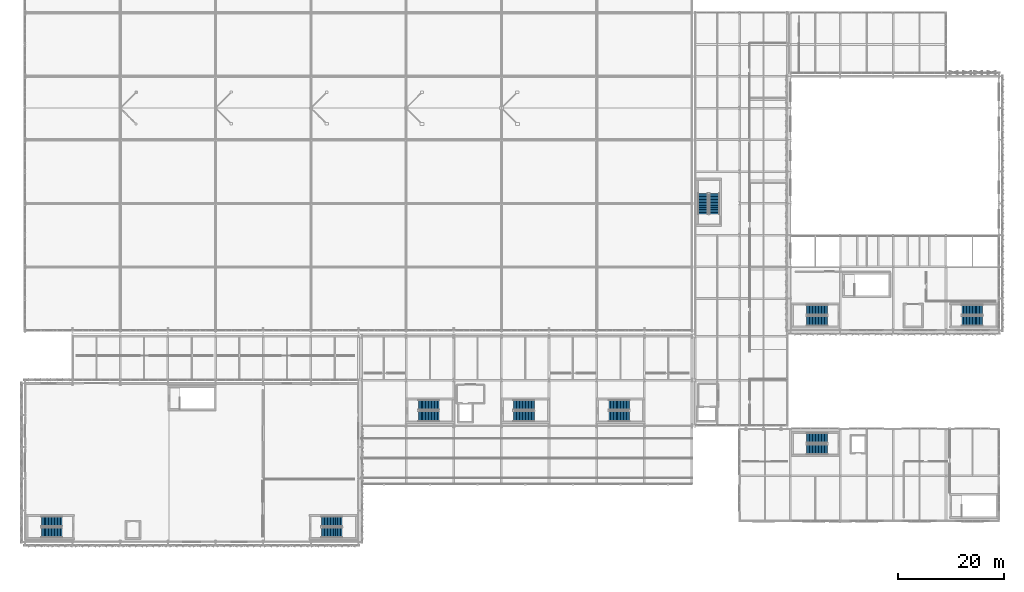
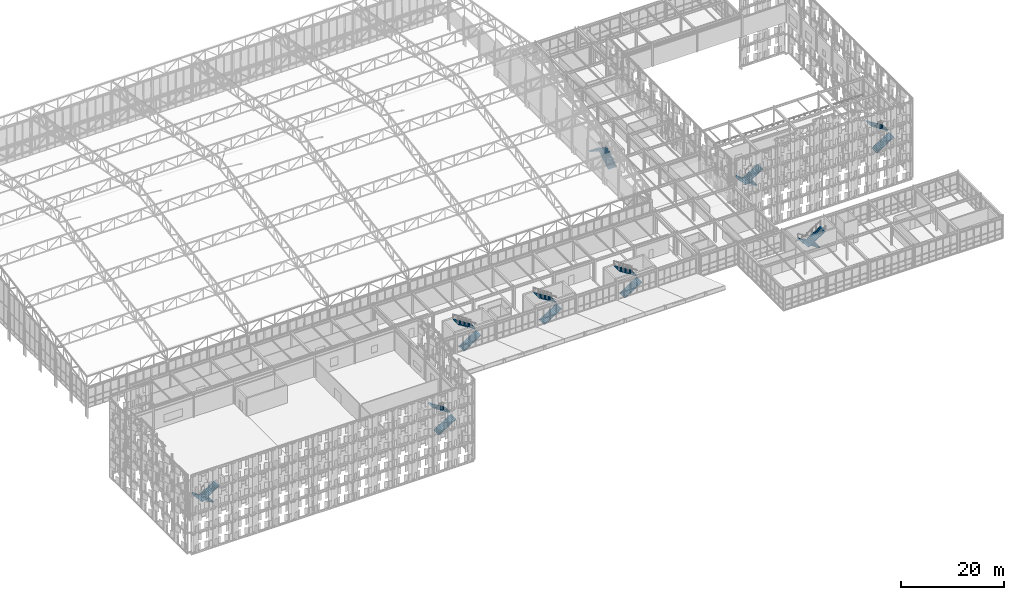
# One storey, part 207 of 239: 18 stair flights, 9 elements without a shape of their own.
"""IFC4 building model written with IfcOpenShell, lengths in metres."""

from ifc_helpers import new_model, si_unit, direction, frame, origin, place, context, subcontext, project, spatial, polyline, outline, extrude, material, type_object, element, aggregate, save


model = new_model("IFC4")

# Units and contexts
model_context = context("Model", 3, precision=1e-05, world=origin(), true_north=direction((0.0, 1.0)))
body_context = subcontext(model_context, "Body", "Model", "MODEL_VIEW")
ifc_project = project(units=[si_unit("LENGTHUNIT", "METRE"), si_unit("AREAUNIT", "SQUARE_METRE"), si_unit("VOLUMEUNIT", "CUBIC_METRE"), si_unit("PLANEANGLEUNIT", "RADIAN"), si_unit("MASSUNIT", "GRAM", prefix="KILO")], contexts=[model_context])

# Site, building, storey
site_placement = place(None, origin())
site = spatial("IfcSite", under=ifc_project, at=site_placement, CompositionType="ELEMENT")
building_placement = place(site_placement, origin())
building = spatial("IfcBuilding", under=site, at=building_placement, Name="Kaldris Quays Convention Centre", CompositionType="ELEMENT")
storey_placement = place(building_placement, frame((0.0, 0.0, 11.39990234375)))
storey = spatial("IfcBuildingStorey", under=building, at=storey_placement, Name="L02", CompositionType="ELEMENT", Elevation=11.39990234375)

# Stair, stair flights
ifc_material = material(Name="Concrete C35/45", Category="concrete")
stair_type = type_object("IfcStairType", Name="DOGLEG ESCAPE STAIR STF1", PredefinedType="TWO_STRAIGHT_RUN_STAIR", material=ifc_material)
stair_1_placement = place(storey_placement, origin())
stair_1 = element("IfcStair", 1, at=stair_1_placement, inside=storey, type_object=stair_type, Name="L02 Escape Stair ST05", PredefinedType="TWO_STRAIGHT_RUN_STAIR")
stair_flight_type = type_object("IfcStairFlightType", Name="STAIR FLIGHT SF01", PredefinedType="STRAIGHT", material=ifc_material)
stair_flight_1_placement = place(storey_placement, frame((27.0, 19.875, 0.0), z_axis=(0.0, 0.0, 1.0), x_axis=(-1.0, 0.0, 0.0)))
stair_flight_1 = element("IfcStairFlight", 2, at=stair_flight_1_placement, type_object=stair_flight_type, Name="STF1 flight 1", NumberOfRisers=15, NumberOfTreads=14, PredefinedType="STRAIGHT", RiserHeight=0.18, TreadLength=0.28, context=body_context, shape_type="SweptSolid", body=[
    extrude(outline(polyline([(0.0, 0.0), (0.0, 0.179931640625), (0.280029296875, 0.179931640625), (0.280029296875, 0.360107421875), (0.56005859375, 0.360107421875), (0.56005859375, 0.5400390625), (0.840087890625, 0.5400390625), (0.840087890625, 0.719970703125), (1.1201171875, 0.719970703125), (1.1201171875, 0.89990234375), (1.39990234375, 0.89990234375), (1.39990234375, 1.080078125), (1.679931640625, 1.080078125), (1.679931640625, 1.260009765625), (1.9599609375, 1.260009765625), (1.9599609375, 1.43994140625), (2.239990234375, 1.43994140625), (2.239990234375, 1.6201171875), (2.52001953125, 1.6201171875), (2.52001953125, 1.800048828125), (2.800048828125, 1.800048828125), (2.800048828125, 1.97998046875), (3.080078125, 1.97998046875), (3.080078125, 2.159912109375), (3.360107421875, 2.159912109375), (3.360107421875, 2.340087890625), (3.639892578125, 2.340087890625), (3.639892578125, 2.52001953125), (3.919921875, 2.52001953125), (3.919921875, 2.699951171875), (3.919921875, 2.341796875), (0.277099609375, 0.0), (0.0, 0.0)])), frame((0.0, 0.97509765625, 0.0), z_axis=(0.0, -1.0, 0.0), x_axis=(1.0, 0.0, 0.0)), (0.0, 0.0, 1.0), 1.949951171875),
])
stair_flight_2_placement = place(storey_placement, frame((23.080078125, 17.77490234375, 2.7001953125), z_axis=(0.0, 0.0, 1.0), x_axis=(1.0, 0.0, 0.0)))
stair_flight_2 = element("IfcStairFlight", 3, at=stair_flight_2_placement, type_object=stair_flight_type, Name="STF1 flight 2", NumberOfRisers=15, NumberOfTreads=14, PredefinedType="STRAIGHT", RiserHeight=0.18, TreadLength=0.28, context=body_context, shape_type="SweptSolid", body=[
    extrude(outline(polyline([(0.0, 0.0), (0.0, 0.179931640625), (0.280029296875, 0.179931640625), (0.280029296875, 0.360107421875), (0.56005859375, 0.360107421875), (0.56005859375, 0.5400390625), (0.840087890625, 0.5400390625), (0.840087890625, 0.719970703125), (1.1201171875, 0.719970703125), (1.1201171875, 0.89990234375), (1.39990234375, 0.89990234375), (1.39990234375, 1.080078125), (1.679931640625, 1.080078125), (1.679931640625, 1.260009765625), (1.9599609375, 1.260009765625), (1.9599609375, 1.43994140625), (2.239990234375, 1.43994140625), (2.239990234375, 1.6201171875), (2.52001953125, 1.6201171875), (2.52001953125, 1.800048828125), (2.800048828125, 1.800048828125), (2.800048828125, 1.97998046875), (3.080078125, 1.97998046875), (3.080078125, 2.159912109375), (3.360107421875, 2.159912109375), (3.360107421875, 2.340087890625), (3.639892578125, 2.340087890625), (3.639892578125, 2.52001953125), (3.919921875, 2.52001953125), (3.919921875, 2.699951171875), (3.919921875, 2.341796875), (0.277099609375, 0.0), (0.0, 0.0)])), frame((0.0, 0.97509765625, 0.0), z_axis=(0.0, -1.0, 0.0), x_axis=(1.0, 0.0, 0.0)), (0.0, 0.0, 1.0), 1.949951171875),
])
aggregate(stair_1, [stair_flight_1, stair_flight_2])

stair_2_placement = place(storey_placement, origin())
stair_2 = element("IfcStair", 4, at=stair_2_placement, inside=storey, type_object=stair_type, Name="L02 Escape Stair ST06", PredefinedType="TWO_STRAIGHT_RUN_STAIR")
stair_flight_3_placement = place(storey_placement, frame((76.0, 17.77490234375, 0.0), z_axis=(0.0, 0.0, 1.0), x_axis=(1.0, 0.0, 0.0)))
stair_flight_3 = element("IfcStairFlight", 5, at=stair_flight_3_placement, type_object=stair_flight_type, Name="STF1 flight 1", NumberOfRisers=15, NumberOfTreads=14, PredefinedType="STRAIGHT", RiserHeight=0.18, TreadLength=0.28, context=body_context, shape_type="SweptSolid", body=[
    extrude(outline(polyline([(0.0, 0.0), (0.0, 0.179931640625), (0.280029296875, 0.179931640625), (0.280029296875, 0.360107421875), (0.56005859375, 0.360107421875), (0.56005859375, 0.5400390625), (0.840087890625, 0.5400390625), (0.840087890625, 0.719970703125), (1.1201171875, 0.719970703125), (1.1201171875, 0.89990234375), (1.39990234375, 0.89990234375), (1.39990234375, 1.080078125), (1.679931640625, 1.080078125), (1.679931640625, 1.260009765625), (1.9599609375, 1.260009765625), (1.9599609375, 1.43994140625), (2.239990234375, 1.43994140625), (2.239990234375, 1.6201171875), (2.52001953125, 1.6201171875), (2.52001953125, 1.800048828125), (2.800048828125, 1.800048828125), (2.800048828125, 1.97998046875), (3.080078125, 1.97998046875), (3.080078125, 2.159912109375), (3.360107421875, 2.159912109375), (3.360107421875, 2.340087890625), (3.639892578125, 2.340087890625), (3.639892578125, 2.52001953125), (3.919921875, 2.52001953125), (3.919921875, 2.699951171875), (3.919921875, 2.341796875), (0.277099609375, 0.0), (0.0, 0.0)])), frame((0.0, 0.97509765625, 0.0), z_axis=(0.0, -1.0, 0.0), x_axis=(1.0, 0.0, 0.0)), (0.0, 0.0, 1.0), 1.949951171875),
])
stair_flight_4_placement = place(storey_placement, frame((79.919921875, 19.875, 2.7001953125), z_axis=(0.0, 0.0, 1.0), x_axis=(-1.0, 0.0, 0.0)))
stair_flight_4 = element("IfcStairFlight", 6, at=stair_flight_4_placement, type_object=stair_flight_type, Name="STF1 flight 2", NumberOfRisers=15, NumberOfTreads=14, PredefinedType="STRAIGHT", RiserHeight=0.18, TreadLength=0.28, context=body_context, shape_type="SweptSolid", body=[
    extrude(outline(polyline([(0.0, 0.0), (0.0, 0.179931640625), (0.280029296875, 0.179931640625), (0.280029296875, 0.360107421875), (0.56005859375, 0.360107421875), (0.56005859375, 0.5400390625), (0.840087890625, 0.5400390625), (0.840087890625, 0.719970703125), (1.1201171875, 0.719970703125), (1.1201171875, 0.89990234375), (1.39990234375, 0.89990234375), (1.39990234375, 1.080078125), (1.679931640625, 1.080078125), (1.679931640625, 1.260009765625), (1.9599609375, 1.260009765625), (1.9599609375, 1.43994140625), (2.239990234375, 1.43994140625), (2.239990234375, 1.6201171875), (2.52001953125, 1.6201171875), (2.52001953125, 1.800048828125), (2.800048828125, 1.800048828125), (2.800048828125, 1.97998046875), (3.080078125, 1.97998046875), (3.080078125, 2.159912109375), (3.360107421875, 2.159912109375), (3.360107421875, 2.340087890625), (3.639892578125, 2.340087890625), (3.639892578125, 2.52001953125), (3.919921875, 2.52001953125), (3.919921875, 2.699951171875), (3.919921875, 2.341796875), (0.277099609375, 0.0), (0.0, 0.0)])), frame((0.0, 0.97509765625, 0.0), z_axis=(0.0, -1.0, 0.0), x_axis=(1.0, 0.0, 0.0)), (0.0, 0.0, 1.0), 1.949951171875),
])
aggregate(stair_2, [stair_flight_3, stair_flight_4])

stair_3_placement = place(storey_placement, origin())
stair_3 = element("IfcStair", 7, at=stair_3_placement, inside=storey, type_object=stair_type, Name="L02 Escape Stair ST08", PredefinedType="TWO_STRAIGHT_RUN_STAIR")
stair_flight_5_placement = place(storey_placement, frame((171.60009765625, 59.875, 0.0), z_axis=(0.0, 0.0, 1.0), x_axis=(-1.0, 0.0, 0.0)))
stair_flight_5 = element("IfcStairFlight", 8, at=stair_flight_5_placement, type_object=stair_flight_type, Name="STF1 flight 1", NumberOfRisers=15, NumberOfTreads=14, PredefinedType="STRAIGHT", RiserHeight=0.18, TreadLength=0.28, context=body_context, shape_type="SweptSolid", body=[
    extrude(outline(polyline([(0.0, 0.0), (0.0, 0.179931640625), (0.280029296875, 0.179931640625), (0.280029296875, 0.360107421875), (0.56005859375, 0.360107421875), (0.56005859375, 0.5400390625), (0.840087890625, 0.5400390625), (0.840087890625, 0.719970703125), (1.1201171875, 0.719970703125), (1.1201171875, 0.89990234375), (1.39990234375, 0.89990234375), (1.39990234375, 1.080078125), (1.679931640625, 1.080078125), (1.679931640625, 1.260009765625), (1.9599609375, 1.260009765625), (1.9599609375, 1.43994140625), (2.239990234375, 1.43994140625), (2.239990234375, 1.6201171875), (2.52001953125, 1.6201171875), (2.52001953125, 1.800048828125), (2.800048828125, 1.800048828125), (2.800048828125, 1.97998046875), (3.080078125, 1.97998046875), (3.080078125, 2.159912109375), (3.360107421875, 2.159912109375), (3.360107421875, 2.340087890625), (3.639892578125, 2.340087890625), (3.639892578125, 2.52001953125), (3.919921875, 2.52001953125), (3.919921875, 2.699951171875), (3.919921875, 2.341796875), (0.277099609375, 0.0), (0.0, 0.0)])), frame((0.0, 0.97509765625, 0.0), z_axis=(0.0, -1.0, 0.0), x_axis=(1.0, 0.0, 0.0)), (0.0, 0.0, 1.0), 1.949951171875),
])
stair_flight_6_placement = place(storey_placement, frame((167.679931640625, 57.77490234375, 2.7001953125), z_axis=(0.0, 0.0, 1.0), x_axis=(1.0, 0.0, 0.0)))
stair_flight_6 = element("IfcStairFlight", 9, at=stair_flight_6_placement, type_object=stair_flight_type, Name="STF1 flight 2", NumberOfRisers=15, NumberOfTreads=14, PredefinedType="STRAIGHT", RiserHeight=0.18, TreadLength=0.28, context=body_context, shape_type="SweptSolid", body=[
    extrude(outline(polyline([(0.0, 0.0), (0.0, 0.179931640625), (0.280029296875, 0.179931640625), (0.280029296875, 0.360107421875), (0.56005859375, 0.360107421875), (0.56005859375, 0.5400390625), (0.840087890625, 0.5400390625), (0.840087890625, 0.719970703125), (1.1201171875, 0.719970703125), (1.1201171875, 0.89990234375), (1.39990234375, 0.89990234375), (1.39990234375, 1.080078125), (1.679931640625, 1.080078125), (1.679931640625, 1.260009765625), (1.9599609375, 1.260009765625), (1.9599609375, 1.43994140625), (2.239990234375, 1.43994140625), (2.239990234375, 1.6201171875), (2.52001953125, 1.6201171875), (2.52001953125, 1.800048828125), (2.800048828125, 1.800048828125), (2.800048828125, 1.97998046875), (3.080078125, 1.97998046875), (3.080078125, 2.159912109375), (3.360107421875, 2.159912109375), (3.360107421875, 2.340087890625), (3.639892578125, 2.340087890625), (3.639892578125, 2.52001953125), (3.919921875, 2.52001953125), (3.919921875, 2.699951171875), (3.919921875, 2.341796875), (0.277099609375, 0.0), (0.0, 0.0)])), frame((0.0, 0.97509765625, 0.0), z_axis=(0.0, -1.0, 0.0), x_axis=(1.0, 0.0, 0.0)), (0.0, 0.0, 1.0), 1.949951171875),
])
aggregate(stair_3, [stair_flight_5, stair_flight_6])

stair_4_placement = place(storey_placement, origin())
stair_4 = element("IfcStair", 10, at=stair_4_placement, inside=storey, type_object=stair_type, Name="L02 Escape Stair ST09", PredefinedType="TWO_STRAIGHT_RUN_STAIR")
stair_flight_7_placement = place(storey_placement, frame((197.0, 57.77490234375, 0.0), z_axis=(0.0, 0.0, 1.0), x_axis=(1.0, 0.0, 0.0)))
stair_flight_7 = element("IfcStairFlight", 11, at=stair_flight_7_placement, type_object=stair_flight_type, Name="STF1 flight 1", NumberOfRisers=15, NumberOfTreads=14, PredefinedType="STRAIGHT", RiserHeight=0.18, TreadLength=0.28, context=body_context, shape_type="SweptSolid", body=[
    extrude(outline(polyline([(0.0, 0.0), (0.0, 0.179931640625), (0.280029296875, 0.179931640625), (0.280029296875, 0.360107421875), (0.56005859375, 0.360107421875), (0.56005859375, 0.5400390625), (0.840087890625, 0.5400390625), (0.840087890625, 0.719970703125), (1.1201171875, 0.719970703125), (1.1201171875, 0.89990234375), (1.39990234375, 0.89990234375), (1.39990234375, 1.080078125), (1.679931640625, 1.080078125), (1.679931640625, 1.260009765625), (1.9599609375, 1.260009765625), (1.9599609375, 1.43994140625), (2.239990234375, 1.43994140625), (2.239990234375, 1.6201171875), (2.52001953125, 1.6201171875), (2.52001953125, 1.800048828125), (2.800048828125, 1.800048828125), (2.800048828125, 1.97998046875), (3.080078125, 1.97998046875), (3.080078125, 2.159912109375), (3.360107421875, 2.159912109375), (3.360107421875, 2.340087890625), (3.639892578125, 2.340087890625), (3.639892578125, 2.52001953125), (3.919921875, 2.52001953125), (3.919921875, 2.699951171875), (3.919921875, 2.341796875), (0.277099609375, 0.0), (0.0, 0.0)])), frame((0.0, 0.97509765625, 0.0), z_axis=(0.0, -1.0, 0.0), x_axis=(1.0, 0.0, 0.0)), (0.0, 0.0, 1.0), 1.949951171875),
])
stair_flight_8_placement = place(storey_placement, frame((200.919921875, 59.875, 2.7001953125), z_axis=(0.0, 0.0, 1.0), x_axis=(-1.0, 0.0, 0.0)))
stair_flight_8 = element("IfcStairFlight", 12, at=stair_flight_8_placement, type_object=stair_flight_type, Name="STF1 flight 2", NumberOfRisers=15, NumberOfTreads=14, PredefinedType="STRAIGHT", RiserHeight=0.18, TreadLength=0.28, context=body_context, shape_type="SweptSolid", body=[
    extrude(outline(polyline([(0.0, 0.0), (0.0, 0.179931640625), (0.280029296875, 0.179931640625), (0.280029296875, 0.360107421875), (0.56005859375, 0.360107421875), (0.56005859375, 0.5400390625), (0.840087890625, 0.5400390625), (0.840087890625, 0.719970703125), (1.1201171875, 0.719970703125), (1.1201171875, 0.89990234375), (1.39990234375, 0.89990234375), (1.39990234375, 1.080078125), (1.679931640625, 1.080078125), (1.679931640625, 1.260009765625), (1.9599609375, 1.260009765625), (1.9599609375, 1.43994140625), (2.239990234375, 1.43994140625), (2.239990234375, 1.6201171875), (2.52001953125, 1.6201171875), (2.52001953125, 1.800048828125), (2.800048828125, 1.800048828125), (2.800048828125, 1.97998046875), (3.080078125, 1.97998046875), (3.080078125, 2.159912109375), (3.360107421875, 2.159912109375), (3.360107421875, 2.340087890625), (3.639892578125, 2.340087890625), (3.639892578125, 2.52001953125), (3.919921875, 2.52001953125), (3.919921875, 2.699951171875), (3.919921875, 2.341796875), (0.277099609375, 0.0), (0.0, 0.0)])), frame((0.0, 0.97509765625, 0.0), z_axis=(0.0, -1.0, 0.0), x_axis=(1.0, 0.0, 0.0)), (0.0, 0.0, 1.0), 1.949951171875),
])
aggregate(stair_4, [stair_flight_7, stair_flight_8])

stair_5_placement = place(storey_placement, origin())
stair_5 = element("IfcStair", 13, at=stair_5_placement, inside=storey, type_object=stair_type, Name="L02 Escape Stair ST11", PredefinedType="TWO_STRAIGHT_RUN_STAIR")
stair_flight_9_placement = place(storey_placement, frame((94.300048828125, 39.77490234375, 0.0), z_axis=(0.0, 0.0, 1.0), x_axis=(1.0, 0.0, 0.0)))
stair_flight_9 = element("IfcStairFlight", 14, at=stair_flight_9_placement, type_object=stair_flight_type, Name="STF1 flight 1", NumberOfRisers=15, NumberOfTreads=14, PredefinedType="STRAIGHT", RiserHeight=0.18, TreadLength=0.28, context=body_context, shape_type="SweptSolid", body=[
    extrude(outline(polyline([(0.0, 0.0), (0.0, 0.179931640625), (0.280029296875, 0.179931640625), (0.280029296875, 0.360107421875), (0.56005859375, 0.360107421875), (0.56005859375, 0.5400390625), (0.840087890625, 0.5400390625), (0.840087890625, 0.719970703125), (1.1201171875, 0.719970703125), (1.1201171875, 0.89990234375), (1.39990234375, 0.89990234375), (1.39990234375, 1.080078125), (1.679931640625, 1.080078125), (1.679931640625, 1.260009765625), (1.9599609375, 1.260009765625), (1.9599609375, 1.43994140625), (2.239990234375, 1.43994140625), (2.239990234375, 1.6201171875), (2.52001953125, 1.6201171875), (2.52001953125, 1.800048828125), (2.800048828125, 1.800048828125), (2.800048828125, 1.97998046875), (3.080078125, 1.97998046875), (3.080078125, 2.159912109375), (3.360107421875, 2.159912109375), (3.360107421875, 2.340087890625), (3.639892578125, 2.340087890625), (3.639892578125, 2.52001953125), (3.919921875, 2.52001953125), (3.919921875, 2.699951171875), (3.919921875, 2.341796875), (0.277099609375, 0.0), (0.0, 0.0)])), frame((0.0, 0.97509765625, 0.0), z_axis=(0.0, -1.0, 0.0), x_axis=(1.0, 0.0, 0.0)), (0.0, 0.0, 1.0), 1.949951171875),
])
stair_flight_10_placement = place(storey_placement, frame((98.219970703125, 41.875, 2.7001953125), z_axis=(0.0, 0.0, 1.0), x_axis=(-1.0, 0.0, 0.0)))
stair_flight_10 = element("IfcStairFlight", 15, at=stair_flight_10_placement, type_object=stair_flight_type, Name="STF1 flight 2", NumberOfRisers=15, NumberOfTreads=14, PredefinedType="STRAIGHT", RiserHeight=0.18, TreadLength=0.28, context=body_context, shape_type="SweptSolid", body=[
    extrude(outline(polyline([(0.0, 0.0), (0.0, 0.179931640625), (0.280029296875, 0.179931640625), (0.280029296875, 0.360107421875), (0.56005859375, 0.360107421875), (0.56005859375, 0.5400390625), (0.840087890625, 0.5400390625), (0.840087890625, 0.719970703125), (1.1201171875, 0.719970703125), (1.1201171875, 0.89990234375), (1.39990234375, 0.89990234375), (1.39990234375, 1.080078125), (1.679931640625, 1.080078125), (1.679931640625, 1.260009765625), (1.9599609375, 1.260009765625), (1.9599609375, 1.43994140625), (2.239990234375, 1.43994140625), (2.239990234375, 1.6201171875), (2.52001953125, 1.6201171875), (2.52001953125, 1.800048828125), (2.800048828125, 1.800048828125), (2.800048828125, 1.97998046875), (3.080078125, 1.97998046875), (3.080078125, 2.159912109375), (3.360107421875, 2.159912109375), (3.360107421875, 2.340087890625), (3.639892578125, 2.340087890625), (3.639892578125, 2.52001953125), (3.919921875, 2.52001953125), (3.919921875, 2.699951171875), (3.919921875, 2.341796875), (0.277099609375, 0.0), (0.0, 0.0)])), frame((0.0, 0.97509765625, 0.0), z_axis=(0.0, -1.0, 0.0), x_axis=(1.0, 0.0, 0.0)), (0.0, 0.0, 1.0), 1.949951171875),
])
aggregate(stair_5, [stair_flight_9, stair_flight_10])

stair_6_placement = place(storey_placement, origin())
stair_6 = element("IfcStair", 16, at=stair_6_placement, inside=storey, type_object=stair_type, Name="L02 Escape Stair ST12", PredefinedType="TWO_STRAIGHT_RUN_STAIR")
stair_flight_11_placement = place(storey_placement, frame((130.300048828125, 39.77490234375, 0.0), z_axis=(0.0, 0.0, 1.0), x_axis=(1.0, 0.0, 0.0)))
stair_flight_11 = element("IfcStairFlight", 17, at=stair_flight_11_placement, type_object=stair_flight_type, Name="STF1 flight 1", NumberOfRisers=15, NumberOfTreads=14, PredefinedType="STRAIGHT", RiserHeight=0.18, TreadLength=0.28, context=body_context, shape_type="SweptSolid", body=[
    extrude(outline(polyline([(0.0, 0.0), (0.0, 0.179931640625), (0.280029296875, 0.179931640625), (0.280029296875, 0.360107421875), (0.56005859375, 0.360107421875), (0.56005859375, 0.5400390625), (0.840087890625, 0.5400390625), (0.840087890625, 0.719970703125), (1.1201171875, 0.719970703125), (1.1201171875, 0.89990234375), (1.39990234375, 0.89990234375), (1.39990234375, 1.080078125), (1.679931640625, 1.080078125), (1.679931640625, 1.260009765625), (1.9599609375, 1.260009765625), (1.9599609375, 1.43994140625), (2.239990234375, 1.43994140625), (2.239990234375, 1.6201171875), (2.52001953125, 1.6201171875), (2.52001953125, 1.800048828125), (2.800048828125, 1.800048828125), (2.800048828125, 1.97998046875), (3.080078125, 1.97998046875), (3.080078125, 2.159912109375), (3.360107421875, 2.159912109375), (3.360107421875, 2.340087890625), (3.639892578125, 2.340087890625), (3.639892578125, 2.52001953125), (3.919921875, 2.52001953125), (3.919921875, 2.699951171875), (3.919921875, 2.341796875), (0.277099609375, 0.0), (0.0, 0.0)])), frame((0.0, 0.97509765625, 0.0), z_axis=(0.0, -1.0, 0.0), x_axis=(1.0, 0.0, 0.0)), (0.0, 0.0, 1.0), 1.949951171875),
])
stair_flight_12_placement = place(storey_placement, frame((134.219970703125, 41.875, 2.7001953125), z_axis=(0.0, 0.0, 1.0), x_axis=(-1.0, 0.0, 0.0)))
stair_flight_12 = element("IfcStairFlight", 18, at=stair_flight_12_placement, type_object=stair_flight_type, Name="STF1 flight 2", NumberOfRisers=15, NumberOfTreads=14, PredefinedType="STRAIGHT", RiserHeight=0.18, TreadLength=0.28, context=body_context, shape_type="SweptSolid", body=[
    extrude(outline(polyline([(0.0, 0.0), (0.0, 0.179931640625), (0.280029296875, 0.179931640625), (0.280029296875, 0.360107421875), (0.56005859375, 0.360107421875), (0.56005859375, 0.5400390625), (0.840087890625, 0.5400390625), (0.840087890625, 0.719970703125), (1.1201171875, 0.719970703125), (1.1201171875, 0.89990234375), (1.39990234375, 0.89990234375), (1.39990234375, 1.080078125), (1.679931640625, 1.080078125), (1.679931640625, 1.260009765625), (1.9599609375, 1.260009765625), (1.9599609375, 1.43994140625), (2.239990234375, 1.43994140625), (2.239990234375, 1.6201171875), (2.52001953125, 1.6201171875), (2.52001953125, 1.800048828125), (2.800048828125, 1.800048828125), (2.800048828125, 1.97998046875), (3.080078125, 1.97998046875), (3.080078125, 2.159912109375), (3.360107421875, 2.159912109375), (3.360107421875, 2.340087890625), (3.639892578125, 2.340087890625), (3.639892578125, 2.52001953125), (3.919921875, 2.52001953125), (3.919921875, 2.699951171875), (3.919921875, 2.341796875), (0.277099609375, 0.0), (0.0, 0.0)])), frame((0.0, 0.97509765625, 0.0), z_axis=(0.0, -1.0, 0.0), x_axis=(1.0, 0.0, 0.0)), (0.0, 0.0, 1.0), 1.949951171875),
])
aggregate(stair_6, [stair_flight_11, stair_flight_12])

stair_7_placement = place(storey_placement, origin())
stair_7 = element("IfcStair", 19, at=stair_7_placement, inside=storey, type_object=stair_type, Name="L02 Escape Stair ST13", PredefinedType="TWO_STRAIGHT_RUN_STAIR")
stair_flight_13_placement = place(storey_placement, frame((112.300048828125, 39.77490234375, 0.0), z_axis=(0.0, 0.0, 1.0), x_axis=(1.0, 0.0, 0.0)))
stair_flight_13 = element("IfcStairFlight", 20, at=stair_flight_13_placement, type_object=stair_flight_type, Name="STF1 flight 1", NumberOfRisers=15, NumberOfTreads=14, PredefinedType="STRAIGHT", RiserHeight=0.18, TreadLength=0.28, context=body_context, shape_type="SweptSolid", body=[
    extrude(outline(polyline([(0.0, 0.0), (0.0, 0.179931640625), (0.280029296875, 0.179931640625), (0.280029296875, 0.360107421875), (0.56005859375, 0.360107421875), (0.56005859375, 0.5400390625), (0.840087890625, 0.5400390625), (0.840087890625, 0.719970703125), (1.1201171875, 0.719970703125), (1.1201171875, 0.89990234375), (1.39990234375, 0.89990234375), (1.39990234375, 1.080078125), (1.679931640625, 1.080078125), (1.679931640625, 1.260009765625), (1.9599609375, 1.260009765625), (1.9599609375, 1.43994140625), (2.239990234375, 1.43994140625), (2.239990234375, 1.6201171875), (2.52001953125, 1.6201171875), (2.52001953125, 1.800048828125), (2.800048828125, 1.800048828125), (2.800048828125, 1.97998046875), (3.080078125, 1.97998046875), (3.080078125, 2.159912109375), (3.360107421875, 2.159912109375), (3.360107421875, 2.340087890625), (3.639892578125, 2.340087890625), (3.639892578125, 2.52001953125), (3.919921875, 2.52001953125), (3.919921875, 2.699951171875), (3.919921875, 2.341796875), (0.277099609375, 0.0), (0.0, 0.0)])), frame((0.0, 0.97509765625, 0.0), z_axis=(0.0, -1.0, 0.0), x_axis=(1.0, 0.0, 0.0)), (0.0, 0.0, 1.0), 1.949951171875),
])
stair_flight_14_placement = place(storey_placement, frame((116.219970703125, 41.875, 2.7001953125), z_axis=(0.0, 0.0, 1.0), x_axis=(-1.0, 0.0, 0.0)))
stair_flight_14 = element("IfcStairFlight", 21, at=stair_flight_14_placement, type_object=stair_flight_type, Name="STF1 flight 2", NumberOfRisers=15, NumberOfTreads=14, PredefinedType="STRAIGHT", RiserHeight=0.18, TreadLength=0.28, context=body_context, shape_type="SweptSolid", body=[
    extrude(outline(polyline([(0.0, 0.0), (0.0, 0.179931640625), (0.280029296875, 0.179931640625), (0.280029296875, 0.360107421875), (0.56005859375, 0.360107421875), (0.56005859375, 0.5400390625), (0.840087890625, 0.5400390625), (0.840087890625, 0.719970703125), (1.1201171875, 0.719970703125), (1.1201171875, 0.89990234375), (1.39990234375, 0.89990234375), (1.39990234375, 1.080078125), (1.679931640625, 1.080078125), (1.679931640625, 1.260009765625), (1.9599609375, 1.260009765625), (1.9599609375, 1.43994140625), (2.239990234375, 1.43994140625), (2.239990234375, 1.6201171875), (2.52001953125, 1.6201171875), (2.52001953125, 1.800048828125), (2.800048828125, 1.800048828125), (2.800048828125, 1.97998046875), (3.080078125, 1.97998046875), (3.080078125, 2.159912109375), (3.360107421875, 2.159912109375), (3.360107421875, 2.340087890625), (3.639892578125, 2.340087890625), (3.639892578125, 2.52001953125), (3.919921875, 2.52001953125), (3.919921875, 2.699951171875), (3.919921875, 2.341796875), (0.277099609375, 0.0), (0.0, 0.0)])), frame((0.0, 0.97509765625, 0.0), z_axis=(0.0, -1.0, 0.0), x_axis=(1.0, 0.0, 0.0)), (0.0, 0.0, 1.0), 1.949951171875),
])
aggregate(stair_7, [stair_flight_13, stair_flight_14])

stair_8_placement = place(storey_placement, origin())
stair_8 = element("IfcStair", 22, at=stair_8_placement, inside=storey, type_object=stair_type, Name="L02 Escape Stair ST14", PredefinedType="TWO_STRAIGHT_RUN_STAIR")
stair_flight_15_placement = place(storey_placement, frame((150.22509765625, 77.949951171875, 0.0), z_axis=(0.0, 0.0, 1.0), x_axis=(0.0, 1.0, 0.0)))
stair_flight_15 = element("IfcStairFlight", 23, at=stair_flight_15_placement, type_object=stair_flight_type, Name="STF1 flight 1", NumberOfRisers=15, NumberOfTreads=14, PredefinedType="STRAIGHT", RiserHeight=0.18, TreadLength=0.28, context=body_context, shape_type="SweptSolid", body=[
    extrude(outline(polyline([(0.0, 0.0), (0.0, 0.179931640625), (0.280029296875, 0.179931640625), (0.280029296875, 0.360107421875), (0.56005859375, 0.360107421875), (0.56005859375, 0.5400390625), (0.840087890625, 0.5400390625), (0.840087890625, 0.719970703125), (1.1201171875, 0.719970703125), (1.1201171875, 0.89990234375), (1.39990234375, 0.89990234375), (1.39990234375, 1.080078125), (1.679931640625, 1.080078125), (1.679931640625, 1.260009765625), (1.9599609375, 1.260009765625), (1.9599609375, 1.43994140625), (2.239990234375, 1.43994140625), (2.239990234375, 1.6201171875), (2.52001953125, 1.6201171875), (2.52001953125, 1.800048828125), (2.800048828125, 1.800048828125), (2.800048828125, 1.97998046875), (3.080078125, 1.97998046875), (3.080078125, 2.159912109375), (3.360107421875, 2.159912109375), (3.360107421875, 2.340087890625), (3.639892578125, 2.340087890625), (3.639892578125, 2.52001953125), (3.919921875, 2.52001953125), (3.919921875, 2.699951171875), (3.919921875, 2.341796875), (0.277099609375, 0.0), (0.0, 0.0)])), frame((0.0, 0.97509765625, 0.0), z_axis=(0.0, -1.0, 0.0), x_axis=(1.0, 0.0, 0.0)), (0.0, 0.0, 1.0), 1.949951171875),
])
stair_flight_16_placement = place(storey_placement, frame((148.125, 81.8701171875, 2.7001953125), z_axis=(0.0, 0.0, 1.0), x_axis=(0.0, -1.0, 0.0)))
stair_flight_16 = element("IfcStairFlight", 24, at=stair_flight_16_placement, type_object=stair_flight_type, Name="STF1 flight 2", NumberOfRisers=15, NumberOfTreads=14, PredefinedType="STRAIGHT", RiserHeight=0.18, TreadLength=0.28, context=body_context, shape_type="SweptSolid", body=[
    extrude(outline(polyline([(0.0, 0.0), (0.0, 0.179931640625), (0.280029296875, 0.179931640625), (0.280029296875, 0.360107421875), (0.56005859375, 0.360107421875), (0.56005859375, 0.5400390625), (0.840087890625, 0.5400390625), (0.840087890625, 0.719970703125), (1.1201171875, 0.719970703125), (1.1201171875, 0.89990234375), (1.39990234375, 0.89990234375), (1.39990234375, 1.080078125), (1.679931640625, 1.080078125), (1.679931640625, 1.260009765625), (1.9599609375, 1.260009765625), (1.9599609375, 1.43994140625), (2.239990234375, 1.43994140625), (2.239990234375, 1.6201171875), (2.52001953125, 1.6201171875), (2.52001953125, 1.800048828125), (2.800048828125, 1.800048828125), (2.800048828125, 1.97998046875), (3.080078125, 1.97998046875), (3.080078125, 2.159912109375), (3.360107421875, 2.159912109375), (3.360107421875, 2.340087890625), (3.639892578125, 2.340087890625), (3.639892578125, 2.52001953125), (3.919921875, 2.52001953125), (3.919921875, 2.699951171875), (3.919921875, 2.341796875), (0.277099609375, 0.0), (0.0, 0.0)])), frame((0.0, 0.97509765625, 0.0), z_axis=(0.0, -1.0, 0.0), x_axis=(1.0, 0.0, 0.0)), (0.0, 0.0, 1.0), 1.949951171875),
])
aggregate(stair_8, [stair_flight_15, stair_flight_16])

stair_9_placement = place(storey_placement, origin())
stair_9 = element("IfcStair", 25, at=stair_9_placement, inside=storey, type_object=stair_type, Name="L02 Escape Stair ST15", PredefinedType="TWO_STRAIGHT_RUN_STAIR")
stair_flight_17_placement = place(storey_placement, frame((171.60009765625, 35.625, 0.0), z_axis=(0.0, 0.0, 1.0), x_axis=(-1.0, 0.0, 0.0)))
stair_flight_17 = element("IfcStairFlight", 26, at=stair_flight_17_placement, type_object=stair_flight_type, Name="STF1 flight 1", NumberOfRisers=15, NumberOfTreads=14, PredefinedType="STRAIGHT", RiserHeight=0.18, TreadLength=0.28, context=body_context, shape_type="SweptSolid", body=[
    extrude(outline(polyline([(0.0, 0.0), (0.0, 0.179931640625), (0.280029296875, 0.179931640625), (0.280029296875, 0.360107421875), (0.56005859375, 0.360107421875), (0.56005859375, 0.5400390625), (0.840087890625, 0.5400390625), (0.840087890625, 0.719970703125), (1.1201171875, 0.719970703125), (1.1201171875, 0.89990234375), (1.39990234375, 0.89990234375), (1.39990234375, 1.080078125), (1.679931640625, 1.080078125), (1.679931640625, 1.260009765625), (1.9599609375, 1.260009765625), (1.9599609375, 1.43994140625), (2.239990234375, 1.43994140625), (2.239990234375, 1.6201171875), (2.52001953125, 1.6201171875), (2.52001953125, 1.800048828125), (2.800048828125, 1.800048828125), (2.800048828125, 1.97998046875), (3.080078125, 1.97998046875), (3.080078125, 2.159912109375), (3.360107421875, 2.159912109375), (3.360107421875, 2.340087890625), (3.639892578125, 2.340087890625), (3.639892578125, 2.52001953125), (3.919921875, 2.52001953125), (3.919921875, 2.699951171875), (3.919921875, 2.341796875), (0.277099609375, 0.0), (0.0, 0.0)])), frame((0.0, 0.97509765625, 0.0), z_axis=(0.0, -1.0, 0.0), x_axis=(1.0, 0.0, 0.0)), (0.0, 0.0, 1.0), 1.949951171875),
])
stair_flight_18_placement = place(storey_placement, frame((167.679931640625, 33.52490234375, 2.7001953125), z_axis=(0.0, 0.0, 1.0), x_axis=(1.0, 0.0, 0.0)))
stair_flight_18 = element("IfcStairFlight", 27, at=stair_flight_18_placement, type_object=stair_flight_type, Name="STF1 flight 2", NumberOfRisers=15, NumberOfTreads=14, PredefinedType="STRAIGHT", RiserHeight=0.18, TreadLength=0.28, context=body_context, shape_type="SweptSolid", body=[
    extrude(outline(polyline([(0.0, 0.0), (0.0, 0.179931640625), (0.280029296875, 0.179931640625), (0.280029296875, 0.360107421875), (0.56005859375, 0.360107421875), (0.56005859375, 0.5400390625), (0.840087890625, 0.5400390625), (0.840087890625, 0.719970703125), (1.1201171875, 0.719970703125), (1.1201171875, 0.89990234375), (1.39990234375, 0.89990234375), (1.39990234375, 1.080078125), (1.679931640625, 1.080078125), (1.679931640625, 1.260009765625), (1.9599609375, 1.260009765625), (1.9599609375, 1.43994140625), (2.239990234375, 1.43994140625), (2.239990234375, 1.6201171875), (2.52001953125, 1.6201171875), (2.52001953125, 1.800048828125), (2.800048828125, 1.800048828125), (2.800048828125, 1.97998046875), (3.080078125, 1.97998046875), (3.080078125, 2.159912109375), (3.360107421875, 2.159912109375), (3.360107421875, 2.340087890625), (3.639892578125, 2.340087890625), (3.639892578125, 2.52001953125), (3.919921875, 2.52001953125), (3.919921875, 2.699951171875), (3.919921875, 2.341796875), (0.277099609375, 0.0), (0.0, 0.0)])), frame((0.0, 0.97509765625, 0.0), z_axis=(0.0, -1.0, 0.0), x_axis=(1.0, 0.0, 0.0)), (0.0, 0.0, 1.0), 1.949951171875),
])
aggregate(stair_9, [stair_flight_17, stair_flight_18])

save(model, "model.ifc")
